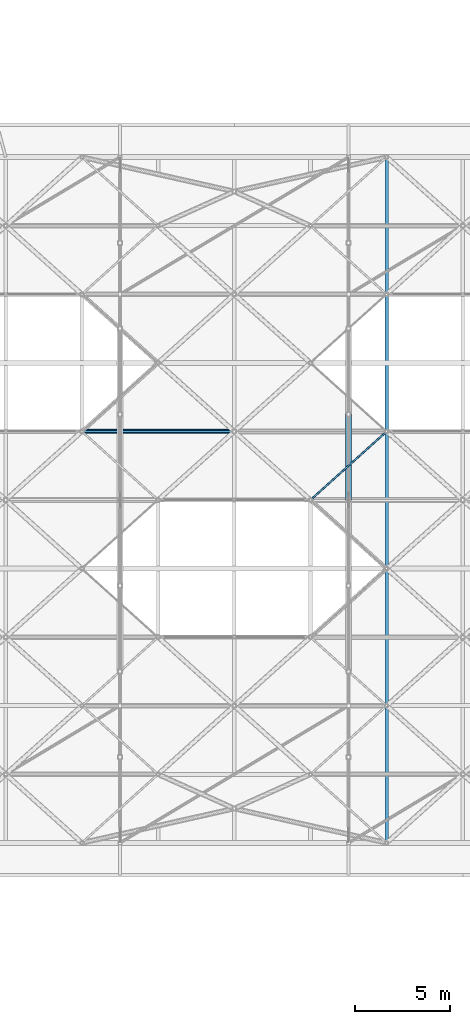
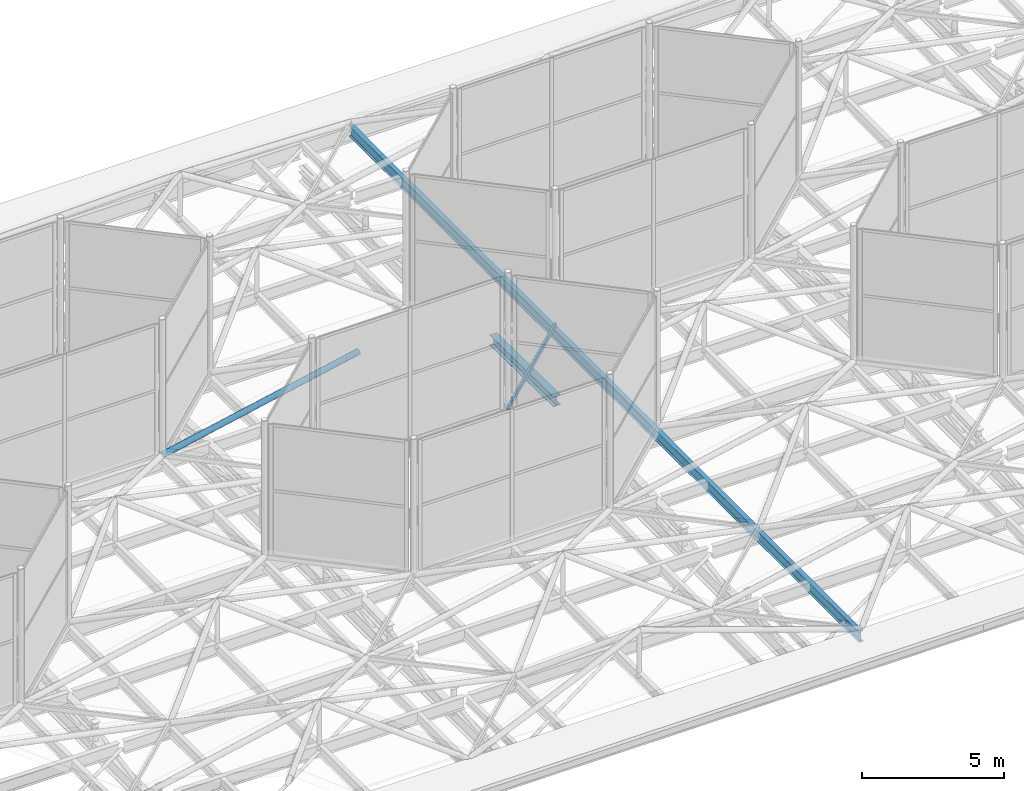
# One storey, part 102 of 239: 3 beams, 1 member.
"""IFC4 building model written with IfcOpenShell, lengths in metres."""

from ifc_helpers import new_model, si_unit, direction, frame, origin, origin_2d, place, context, subcontext, project, spatial, hollow_rectangle, hollow_circle, i_section, extrude, material, material_profile, profile_set, type_object, element, save


model = new_model("IFC4")

# Units and contexts
model_context = context("Model", 3, precision=1e-05, world=origin(), true_north=direction((0.0, 1.0)))
body_context = subcontext(model_context, "Body", "Model", "MODEL_VIEW")
ifc_project = project(units=[si_unit("LENGTHUNIT", "METRE"), si_unit("AREAUNIT", "SQUARE_METRE"), si_unit("VOLUMEUNIT", "CUBIC_METRE"), si_unit("PLANEANGLEUNIT", "RADIAN"), si_unit("MASSUNIT", "GRAM", prefix="KILO")], contexts=[model_context])

# Site, building, storey
site_placement = place(None, origin())
site = spatial("IfcSite", under=ifc_project, at=site_placement, CompositionType="ELEMENT")
building_placement = place(site_placement, origin())
building = spatial("IfcBuilding", under=site, at=building_placement, Name="Dunvalen Ferry Terminal", CompositionType="ELEMENT")
storey_placement = place(building_placement, frame((0.0, 0.0, 9.840087890625)))
storey = spatial("IfcBuildingStorey", under=building, at=storey_placement, Name="L02", CompositionType="ELEMENT", Elevation=9.840087890625)

# Beams
ifc_material = material(Name="Steel S355", Category="steel")
ifc_material_profile_1 = material_profile(ifc_material, i_section(OverallWidth=0.300048828125, OverallDepth=0.449951171875, WebThickness=0.013916015625, FlangeThickness=0.02587890625, FilletRadius=0.027099609375, at=origin_2d()), Name="Steel S355")
ifc_profile_set_1 = profile_set([ifc_material_profile_1], Name="Steel S355")
beam_type_1 = type_object("IfcBeamType", Name="STR-BM-HEB450", PredefinedType="BEAM", material=ifc_profile_set_1)
beam_1_placement = place(storey_placement, frame((60.0, 68.39990234375, 0.719970703125), z_axis=(0.0, 0.999907293085, -0.01361635908), x_axis=(-1.0, 0.0, 0.0)))
element("IfcBeam", 1, at=beam_1_placement, inside=storey, type_object=beam_type_1, Name="Departure Hall Tied-Arch Rib 05.5", PredefinedType="BEAM", context=body_context, shape_type="SweptSolid", body=[
    extrude(i_section(OverallWidth=0.300048828125, OverallDepth=0.449951171875, WebThickness=0.013916015625, FlangeThickness=0.02587890625, FilletRadius=0.027099609375, at=origin_2d()), origin(), (0.0, 0.0, 1.0), 4.50048828125),
])
ifc_material_profile_2 = material_profile(ifc_material, hollow_rectangle(XDim=0.10009765625, YDim=0.199951171875, WallThickness=0.008056640625, InnerFilletRadius=0.008056640625, OuterFilletRadius=0.01611328125, at=origin_2d()), Name="Steel S355")
ifc_profile_set_2 = profile_set([ifc_material_profile_2], Name="Steel S355")
beam_type_2 = type_object("IfcBeamType", Name="STR-BM-RHS200", PredefinedType="BEAM", material=ifc_profile_set_2)
beam_2_placement = place(storey_placement, frame((58.0, 68.39990234375, 1.099853515625), z_axis=(0.743285123004, 0.668974757313, 0.0), x_axis=(-0.668974757313, 0.743285123004, 0.0)))
element("IfcBeam", 2, at=beam_2_placement, inside=storey, type_object=beam_type_2, Name="HEX-26 Hexagonal Rim Beam 3", PredefinedType="BEAM", context=body_context, shape_type="SweptSolid", body=[
    extrude(hollow_rectangle(XDim=0.10009765625, YDim=0.199951171875, WallThickness=0.008056640625, InnerFilletRadius=0.008056640625, OuterFilletRadius=0.01611328125, at=origin_2d()), origin(), (0.0, 0.0, 1.0), 5.381591796875),
])
ifc_material_profile_3 = material_profile(ifc_material, i_section(OverallWidth=0.1904296875, OverallDepth=0.45703125, WebThickness=0.009033203125, FlangeThickness=0.014404296875, FilletRadius=0.01025390625, at=origin_2d()), Name="Steel S355")
ifc_profile_set_3 = profile_set([ifc_material_profile_3], Name="Steel S355")
beam_type_3 = type_object("IfcBeamType", Name="STR-BM-UKB457", PredefinedType="BEAM", material=ifc_profile_set_3)
beam_3_placement = place(storey_placement, frame((62.0, 50.39990234375, 0.771484375), z_axis=(0.0, 1.0, 0.0), x_axis=(-1.0, 0.0, 0.0)))
element("IfcBeam", 3, at=beam_3_placement, inside=storey, type_object=beam_type_3, Name="Departure Hall Hex-Grid Cross Beam B5.1", PredefinedType="BEAM", context=body_context, shape_type="SweptSolid", body=[
    extrude(i_section(OverallWidth=0.1904296875, OverallDepth=0.45703125, WebThickness=0.009033203125, FlangeThickness=0.014404296875, FilletRadius=0.01025390625, at=origin_2d()), origin(), (0.0, 0.0, 1.0), 36.0),
])

# Member
ifc_material_profile_4 = material_profile(ifc_material, hollow_circle(Radius=0.122314453125, WallThickness=0.010009765625, at=origin_2d()), Name="Steel S355")
ifc_profile_set_4 = profile_set([ifc_material_profile_4], Name="Steel S355")
member_type = type_object("IfcMemberType", Name="STR-MB-CHS244", PredefinedType="STRUT", material=ifc_profile_set_4)
member_placement = place(storey_placement, frame((46.0, 72.0, 1.099853515625), z_axis=(0.979020171275, 0.0, 0.203763353518), x_axis=(0.0, 1.0, 0.0)))
element("IfcMember", 4, at=member_placement, inside=storey, type_object=member_type, Name="HEX-26 Pyramid Hip Rafter 1", PredefinedType="STRUT", context=body_context, shape_type="SweptSolid", body=[
    extrude(hollow_circle(Radius=0.122314453125, WallThickness=0.010009765625, at=origin_2d()), origin(), (0.0, 0.0, 1.0), 8.17138671875),
])

save(model, "model.ifc")
